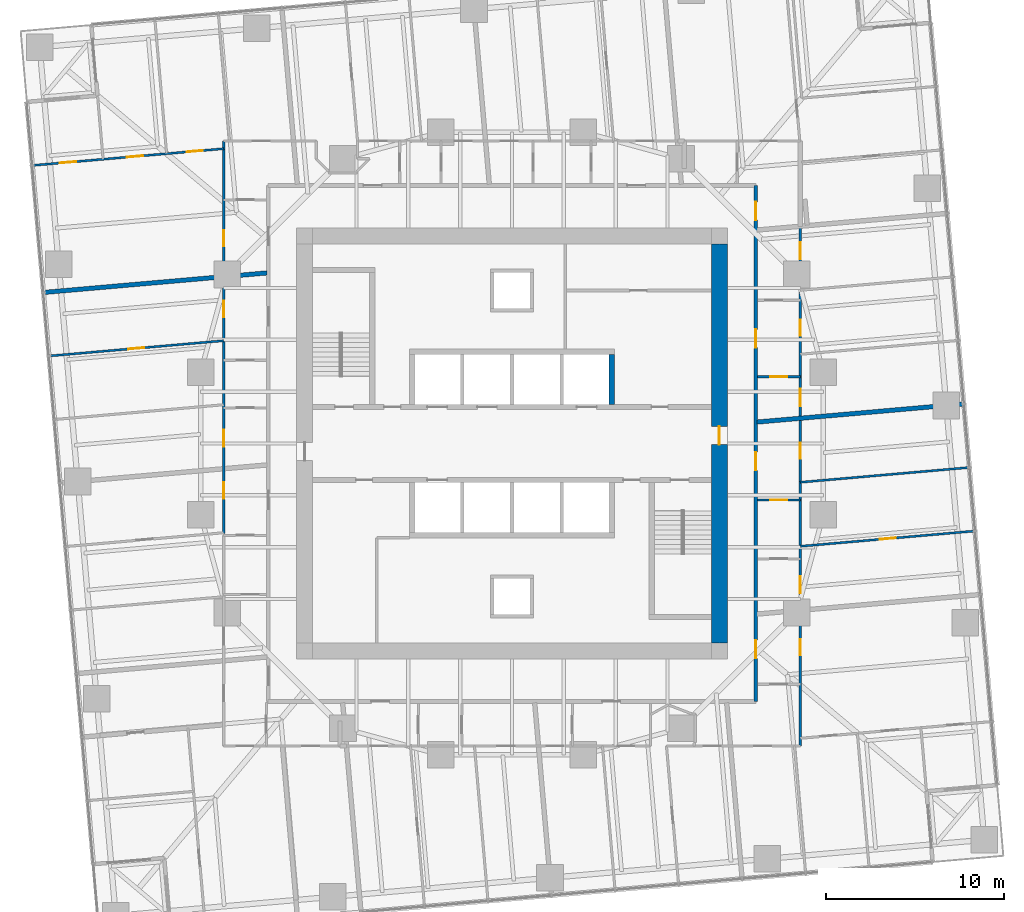
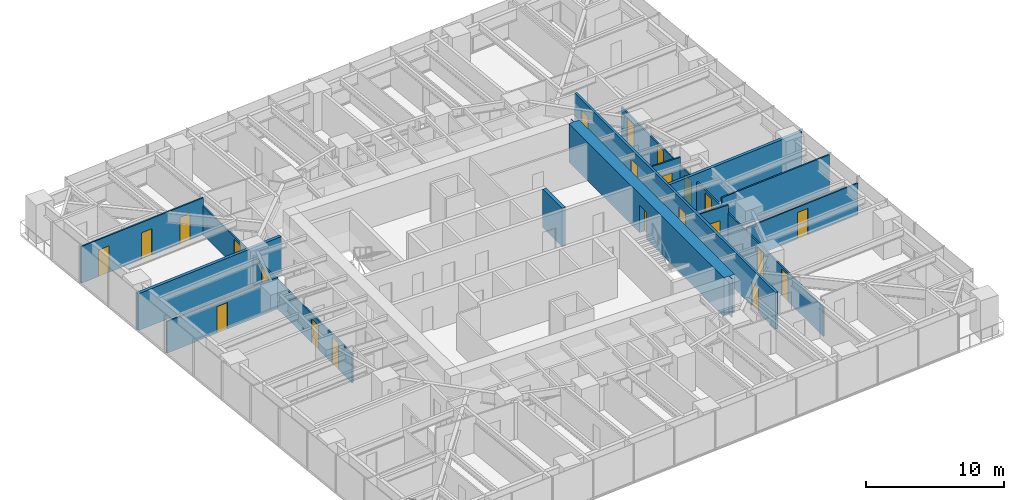
# One storey, part 11 of 14: 22 doors, 13 walls, 22 openings.
"""IFC4 building model written with IfcOpenShell, lengths in metres."""

from ifc_helpers import new_model, si_unit, direction, frame, frame_2d, origin, place, context, subcontext, project, spatial, polyline, rectangle, outline, extrude, material, layer, layer_set, type_object, element, fill, save


model = new_model("IFC4")

# Units and contexts
model_context = context("Model", 3, precision=1e-05, world=origin(), true_north=direction((0.0, 1.0)))
body_context = subcontext(model_context, "Body", "Model", "MODEL_VIEW")
ifc_project = project(units=[si_unit("LENGTHUNIT", "METRE"), si_unit("AREAUNIT", "SQUARE_METRE"), si_unit("VOLUMEUNIT", "CUBIC_METRE"), si_unit("PLANEANGLEUNIT", "RADIAN"), si_unit("MASSUNIT", "GRAM", prefix="KILO")], contexts=[model_context])

# Site, building, storey
site_placement = place(None, origin())
site = spatial("IfcSite", under=ifc_project, at=site_placement, CompositionType="ELEMENT")
building_placement = place(site_placement, origin())
building = spatial("IfcBuilding", under=site, at=building_placement, Name="Torsade Residences", CompositionType="ELEMENT")
storey_placement = place(building_placement, frame((0.0, 0.0, 64.199951171875)))
storey = spatial("IfcBuildingStorey", under=building, at=storey_placement, Name="L17", CompositionType="ELEMENT", Elevation=64.199951171875)

# Wall
ifc_material_1 = material(Name="Concrete 80 MPa", Category="concrete")
ifc_layer_1 = layer(ifc_material_1, 0.300048828125)
ifc_layer_set_1 = layer_set([ifc_layer_1], Name="Concrete 80 MPa")
wall_type_1 = type_object("IfcWallType", Name="CORE INTERNAL WALL 300", PredefinedType="SHEAR", material=ifc_layer_set_1)
wall_1_placement = place(storey_placement, frame((45.60009765625, 32.199951171875, 0.0), z_axis=(0.0, 0.0, 1.0), x_axis=(0.0, 1.0, 0.0)))
element("IfcWall", 1, at=wall_1_placement, inside=storey, type_object=wall_type_1, Name="Core wall DN4 L17", PredefinedType="SHEAR", context=body_context, shape_type="SweptSolid", body=[
    extrude(rectangle(XDim=2.800048828125, YDim=0.300048828125, at=frame_2d((1.39990234375, 0.0))), origin(), (0.0, 0.0, 1.0), 3.400146484375),
])

# Wall, opening, door
ifc_material_2 = material(Name="Concrete 80 MPa", Category="concrete")
ifc_layer_2 = layer(ifc_material_2, 0.89990234375)
ifc_layer_set_2 = layer_set([ifc_layer_2], Name="Concrete 80 MPa")
wall_type_2 = type_object("IfcWallType", Name="CORE WALL 900", PredefinedType="SHEAR", material=ifc_layer_set_2)
wall_2_placement = place(storey_placement, frame((51.64990234375, 18.800048828125, 0.0), z_axis=(0.0, 0.0, 1.0), x_axis=(0.0, 1.0, 0.0)))
wall_2 = element("IfcWall", 2, at=wall_2_placement, inside=storey, type_object=wall_type_2, Name="Core wall E L17", PredefinedType="SHEAR", context=body_context, shape_type="SweptSolid", body=[
    extrude(outline(polyline([(0.0, -0.449951171875), (22.39990234375, -0.449951171875), (22.39990234375, -0.02490234375), (22.849853515625, -0.02490234375), (22.849853515625, 0.02490234375), (22.39990234375, 0.02490234375), (22.39990234375, 0.449951171875), (0.0, 0.449951171875), (0.0, 0.02490234375), (-0.449951171875, 0.02490234375), (-0.449951171875, -0.02490234375), (0.0, -0.02490234375), (0.0, -0.449951171875)])), origin(), (0.0, 0.0, 1.0), 3.400146484375),
])
opening_1_placement = place(wall_2_placement, frame((11.139892578125, 0.0, 0.0)))
opening_1 = element("IfcOpeningElement", 3, at=opening_1_placement, cuts=wall_2, Name="Opening D04", PredefinedType="OPENING", context=body_context, shape_type="SweptSolid", body=[
    extrude(rectangle(XDim=1.02001953125, YDim=2.39990234375, at=frame_2d((0.510009765625, 1.199951171875))), frame((0.0, 0.4599609375, 0.0), z_axis=(0.0, -1.0, 0.0), x_axis=(1.0, 0.0, 0.0)), (0.0, 0.0, 1.0), 0.919921875),
])
ifc_material_3 = material(Name="Steel-framed fire door", Category="steel")
door_type_1 = type_object("IfcDoorType", Name="LOBBY SMOKE DOOR 1020x2400", OperationType="NOTDEFINED", PredefinedType="DOOR", material=ifc_material_3)
door_1_placement = place(opening_1_placement, origin())
door_1 = element("IfcDoor", 4, at=door_1_placement, inside=storey, type_object=door_type_1, Name="Lift lobby door E L17", OperationType="SINGLE_SWING_LEFT", OverallHeight=2.39990234375, OverallWidth=1.02001953125, PredefinedType="DOOR", context=body_context, shape_type="SweptSolid", body=[
    extrude(rectangle(XDim=1.02001953125, YDim=2.39990234375, at=frame_2d((0.510009765625, 1.199951171875))), frame((0.0, 0.02490234375, 0.0), z_axis=(0.0, -1.0, 0.0), x_axis=(1.0, 0.0, 0.0)), (0.0, 0.0, 1.0), 0.050048828125),
])
fill(opening_1, door_1)

# Wall, openings, doors
ifc_material_4 = material(Name="Plasterboard on steel stud", Category="steel")
ifc_layer_3 = layer(ifc_material_4, 0.199951171875)
ifc_layer_set_3 = layer_set([ifc_layer_3], Name="Plasterboard on steel stud")
wall_type_3 = type_object("IfcWallType", Name="CORRIDOR WALL 200", PredefinedType="PARTITIONING", material=ifc_layer_set_3)
wall_3_placement = place(storey_placement, frame((53.699951171875, 15.5, 0.0), z_axis=(0.0, 0.0, 1.0), x_axis=(0.0, 1.0, 0.0)))
wall_3 = element("IfcWall", 5, at=wall_3_placement, inside=storey, type_object=wall_type_3, Name="Corridor wall L17", PredefinedType="PARTITIONING", context=body_context, shape_type="SweptSolid", body=[
    extrude(rectangle(XDim=29.0, YDim=0.199951171875, at=frame_2d((14.5, 0.0))), origin(), (0.0, 0.0, 1.0), 3.25),
])
opening_2_placement = place(wall_3_placement, frame((12.996826171875, 0.0, 0.0)))
opening_2 = element("IfcOpeningElement", 6, at=opening_2_placement, cuts=wall_3, Name="Opening D01", PredefinedType="OPENING", context=body_context, shape_type="SweptSolid", body=[
    extrude(rectangle(XDim=1.02001953125, YDim=2.340087890625, at=frame_2d((0.510009765625, 1.169921875))), frame((0.0, 0.10986328125, 0.0), z_axis=(0.0, -1.0, 0.0), x_axis=(1.0, 0.0, 0.0)), (0.0, 0.0, 1.0), 0.219970703125),
])
opening_3_placement = place(wall_3_placement, frame((19.89111328125, 0.0, 0.0)))
opening_3 = element("IfcOpeningElement", 7, at=opening_3_placement, cuts=wall_3, Name="Opening D01", PredefinedType="OPENING", context=body_context, shape_type="SweptSolid", body=[
    extrude(rectangle(XDim=1.02001953125, YDim=2.340087890625, at=frame_2d((0.510009765625, 1.169921875))), frame((0.0, 0.10986328125, 0.0), z_axis=(0.0, -1.0, 0.0), x_axis=(1.0, 0.0, 0.0)), (0.0, 0.0, 1.0), 0.219970703125),
])
opening_4_placement = place(wall_3_placement, frame((2.4248046875, 0.0, 0.0)))
opening_4 = element("IfcOpeningElement", 8, at=opening_4_placement, cuts=wall_3, Name="Opening D01L", PredefinedType="OPENING", context=body_context, shape_type="SweptSolid", body=[
    extrude(rectangle(XDim=1.02001953125, YDim=2.10009765625, at=frame_2d((0.510009765625, 1.050048828125))), frame((0.0, 0.10986328125, 0.0), z_axis=(0.0, -1.0, 0.0), x_axis=(1.0, 0.0, 0.0)), (0.0, 0.0, 1.0), 0.219970703125),
])
opening_5_placement = place(wall_3_placement, frame((27.054931640625, 0.0, 0.0)))
opening_5 = element("IfcOpeningElement", 9, at=opening_5_placement, cuts=wall_3, Name="Opening D01", PredefinedType="OPENING", context=body_context, shape_type="SweptSolid", body=[
    extrude(rectangle(XDim=1.02001953125, YDim=2.340087890625, at=frame_2d((0.510009765625, 1.169921875))), frame((0.0, 0.10986328125, 0.0), z_axis=(0.0, -1.0, 0.0), x_axis=(1.0, 0.0, 0.0)), (0.0, 0.0, 1.0), 0.219970703125),
])
ifc_material_5 = material(Name="Solid-core timber fire door", Category="wood")
door_type_2 = type_object("IfcDoorType", Name="APARTMENT ENTRY DOOR 1020x2100", OperationType="NOTDEFINED", PredefinedType="DOOR", material=ifc_material_5)
door_2_placement = place(opening_4_placement, origin())
door_2 = element("IfcDoor", 10, at=door_2_placement, inside=storey, type_object=door_type_2, Name="Door Residential corridor to Kitchen and dining", OperationType="SINGLE_SWING_LEFT", OverallHeight=2.10009765625, OverallWidth=1.02001953125, PredefinedType="DOOR", context=body_context, shape_type="SweptSolid", body=[
    extrude(rectangle(XDim=1.02001953125, YDim=2.10009765625, at=frame_2d((0.510009765625, 1.050048828125))), frame((0.0, 0.02490234375, 0.0), z_axis=(0.0, -1.0, 0.0), x_axis=(1.0, 0.0, 0.0)), (0.0, 0.0, 1.0), 0.050048828125),
])
fill(opening_4, door_2)
ifc_material_6 = material(Name="Solid-core timber fire door", Category="wood")
door_type_3 = type_object("IfcDoorType", Name="APARTMENT ENTRY DOOR 1020x2340", OperationType="NOTDEFINED", PredefinedType="DOOR", material=ifc_material_6)
door_3_placement = place(opening_2_placement, origin())
door_3 = element("IfcDoor", 11, at=door_3_placement, inside=storey, type_object=door_type_3, Name="Door Residential corridor to Kitchen and dining", OperationType="SINGLE_SWING_LEFT", OverallHeight=2.340087890625, OverallWidth=1.02001953125, PredefinedType="DOOR", context=body_context, shape_type="SweptSolid", body=[
    extrude(rectangle(XDim=1.02001953125, YDim=2.340087890625, at=frame_2d((0.510009765625, 1.169921875))), frame((0.0, 0.02490234375, 0.0), z_axis=(0.0, -1.0, 0.0), x_axis=(1.0, 0.0, 0.0)), (0.0, 0.0, 1.0), 0.050048828125),
])
fill(opening_2, door_3)
door_4_placement = place(opening_3_placement, origin())
door_4 = element("IfcDoor", 12, at=door_4_placement, inside=storey, type_object=door_type_3, Name="Door Residential corridor to Kitchen and dining", OperationType="SINGLE_SWING_RIGHT", OverallHeight=2.340087890625, OverallWidth=1.02001953125, PredefinedType="DOOR", context=body_context, shape_type="SweptSolid", body=[
    extrude(rectangle(XDim=1.02001953125, YDim=2.340087890625, at=frame_2d((0.510009765625, 1.169921875))), frame((0.0, 0.02490234375, 0.0), z_axis=(0.0, -1.0, 0.0), x_axis=(1.0, 0.0, 0.0)), (0.0, 0.0, 1.0), 0.050048828125),
])
fill(opening_3, door_4)
door_5_placement = place(opening_5_placement, origin())
door_5 = element("IfcDoor", 13, at=door_5_placement, inside=storey, type_object=door_type_3, Name="Door Residential corridor to Kitchen and dining", OperationType="SINGLE_SWING_RIGHT", OverallHeight=2.340087890625, OverallWidth=1.02001953125, PredefinedType="DOOR", context=body_context, shape_type="SweptSolid", body=[
    extrude(rectangle(XDim=1.02001953125, YDim=2.340087890625, at=frame_2d((0.510009765625, 1.169921875))), frame((0.0, 0.02490234375, 0.0), z_axis=(0.0, -1.0, 0.0), x_axis=(1.0, 0.0, 0.0)), (0.0, 0.0, 1.0), 0.050048828125),
])
fill(opening_5, door_5)

ifc_material_7 = material(Name="Plasterboard on steel stud", Category="steel")
ifc_layer_4 = layer(ifc_material_7, 0.1201171875)
ifc_layer_set_4 = layer_set([ifc_layer_4], Name="Plasterboard on steel stud")
wall_type_4 = type_object("IfcWallType", Name="PARTITION 120", PredefinedType="PARTITIONING", material=ifc_layer_set_4)
wall_4_placement = place(storey_placement, frame((23.800048828125, 24.935546875, 0.0), z_axis=(0.0, 0.0, 1.0), x_axis=(0.0, 1.0, 0.0)))
wall_4 = element("IfcWall", 14, at=wall_4_placement, inside=storey, type_object=wall_type_4, Name="Partition L17", PredefinedType="PARTITIONING", context=body_context, shape_type="SweptSolid", body=[
    extrude(rectangle(XDim=22.064453125, YDim=0.1201171875, at=frame_2d((11.0322265625, 0.0))), origin(), (0.0, 0.0, 1.0), 2.550048828125),
])
opening_6_placement = place(wall_4_placement, frame((12.154541015625, 0.0, 0.0)))
opening_6 = element("IfcOpeningElement", 15, at=opening_6_placement, cuts=wall_4, Name="Opening D02", PredefinedType="OPENING", context=body_context, shape_type="SweptSolid", body=[
    extrude(rectangle(XDim=0.919921875, YDim=2.340087890625, at=frame_2d((0.4599609375, 1.169921875))), frame((0.0, 0.070068359375, 0.0), z_axis=(0.0, -1.0, 0.0), x_axis=(1.0, 0.0, 0.0)), (0.0, 0.0, 1.0), 0.14013671875),
])
opening_7_placement = place(wall_4_placement, frame((16.13623046875, 0.0, 0.0)))
opening_7 = element("IfcOpeningElement", 16, at=opening_7_placement, cuts=wall_4, Name="Opening D02", PredefinedType="OPENING", context=body_context, shape_type="SweptSolid", body=[
    extrude(rectangle(XDim=0.919921875, YDim=2.340087890625, at=frame_2d((0.4599609375, 1.169921875))), frame((0.0, 0.070068359375, 0.0), z_axis=(0.0, -1.0, 0.0), x_axis=(1.0, 0.0, 0.0)), (0.0, 0.0, 1.0), 0.14013671875),
])
opening_8_placement = place(wall_4_placement, frame((1.963623046875, 0.0, 0.0)))
opening_8 = element("IfcOpeningElement", 17, at=opening_8_placement, cuts=wall_4, Name="Opening D02", PredefinedType="OPENING", context=body_context, shape_type="SweptSolid", body=[
    extrude(rectangle(XDim=0.919921875, YDim=2.340087890625, at=frame_2d((0.4599609375, 1.169921875))), frame((0.0, 0.070068359375, 0.0), z_axis=(0.0, -1.0, 0.0), x_axis=(1.0, 0.0, 0.0)), (0.0, 0.0, 1.0), 0.14013671875),
])
opening_9_placement = place(wall_4_placement, frame((4.87744140625, 0.0, 0.0)))
opening_9 = element("IfcOpeningElement", 18, at=opening_9_placement, cuts=wall_4, Name="Opening D05", PredefinedType="OPENING", context=body_context, shape_type="SweptSolid", body=[
    extrude(rectangle(XDim=0.9599609375, YDim=2.10009765625, at=frame_2d((0.47998046875, 1.050048828125))), frame((0.0, 0.070068359375, 0.0), z_axis=(0.0, -1.0, 0.0), x_axis=(1.0, 0.0, 0.0)), (0.0, 0.0, 1.0), 0.14013671875),
])
ifc_material_8 = material(Name="Hollow-core timber door in a steel cavity frame", Category="steel")
door_type_4 = type_object("IfcDoorType", Name="BATHROOM CAVITY SLIDING DOOR 960", OperationType="SLIDING_TO_LEFT", PredefinedType="DOOR", material=ifc_material_8)
door_6_placement = place(opening_9_placement, origin())
door_6 = element("IfcDoor", 19, at=door_6_placement, inside=storey, type_object=door_type_4, Name="Door Bathroom to Bedroom 2", OperationType="SLIDING_TO_LEFT", OverallHeight=2.10009765625, OverallWidth=0.9599609375, PredefinedType="DOOR", context=body_context, shape_type="SweptSolid", body=[
    extrude(rectangle(XDim=0.9599609375, YDim=2.10009765625, at=frame_2d((0.47998046875, 1.050048828125))), frame((0.0, 0.02490234375, 0.0), z_axis=(0.0, -1.0, 0.0), x_axis=(1.0, 0.0, 0.0)), (0.0, 0.0, 1.0), 0.050048828125),
])
fill(opening_9, door_6)
ifc_material_9 = material(Name="Hollow-core timber door", Category="wood")
door_type_5 = type_object("IfcDoorType", Name="INTERNAL DOOR 920x2340", OperationType="NOTDEFINED", PredefinedType="DOOR", material=ifc_material_9)
door_7_placement = place(opening_6_placement, origin())
door_7 = element("IfcDoor", 20, at=door_7_placement, inside=storey, type_object=door_type_5, Name="Door Kitchen and dining to Living room", OperationType="SINGLE_SWING_RIGHT", OverallHeight=2.340087890625, OverallWidth=0.919921875, PredefinedType="DOOR", context=body_context, shape_type="SweptSolid", body=[
    extrude(rectangle(XDim=0.919921875, YDim=2.340087890625, at=frame_2d((0.4599609375, 1.169921875))), frame((0.0, 0.02490234375, 0.0), z_axis=(0.0, -1.0, 0.0), x_axis=(1.0, 0.0, 0.0)), (0.0, 0.0, 1.0), 0.050048828125),
])
fill(opening_6, door_7)
door_8_placement = place(opening_7_placement, origin())
door_8 = element("IfcDoor", 21, at=door_8_placement, inside=storey, type_object=door_type_5, Name="Door Kitchen and dining to Living room", OperationType="SINGLE_SWING_LEFT", OverallHeight=2.340087890625, OverallWidth=0.919921875, PredefinedType="DOOR", context=body_context, shape_type="SweptSolid", body=[
    extrude(rectangle(XDim=0.919921875, YDim=2.340087890625, at=frame_2d((0.4599609375, 1.169921875))), frame((0.0, 0.02490234375, 0.0), z_axis=(0.0, -1.0, 0.0), x_axis=(1.0, 0.0, 0.0)), (0.0, 0.0, 1.0), 0.050048828125),
])
fill(opening_7, door_8)
door_9_placement = place(opening_8_placement, origin())
door_9 = element("IfcDoor", 22, at=door_9_placement, inside=storey, type_object=door_type_5, Name="Door Kitchen and dining to Living room", OperationType="SINGLE_SWING_RIGHT", OverallHeight=2.340087890625, OverallWidth=0.919921875, PredefinedType="DOOR", context=body_context, shape_type="SweptSolid", body=[
    extrude(rectangle(XDim=0.919921875, YDim=2.340087890625, at=frame_2d((0.4599609375, 1.169921875))), frame((0.0, 0.02490234375, 0.0), z_axis=(0.0, -1.0, 0.0), x_axis=(1.0, 0.0, 0.0)), (0.0, 0.0, 1.0), 0.050048828125),
])
fill(opening_8, door_9)

wall_5_placement = place(storey_placement, frame((56.199951171875, 42.20849609375, 0.0), z_axis=(0.0, 0.0, 1.0), x_axis=(0.0, -1.0, 0.0)))
wall_5 = element("IfcWall", 23, at=wall_5_placement, inside=storey, type_object=wall_type_4, Name="Partition L17", PredefinedType="PARTITIONING", context=body_context, shape_type="SweptSolid", body=[
    extrude(rectangle(XDim=29.20849609375, YDim=0.1201171875, at=frame_2d((14.604248046875, 0.0))), origin(), (0.0, 0.0, 1.0), 2.550048828125),
])
opening_10_placement = place(wall_5_placement, frame((12.154541015625, 0.0, 0.0)))
opening_10 = element("IfcOpeningElement", 24, at=opening_10_placement, cuts=wall_5, Name="Opening D02", PredefinedType="OPENING", context=body_context, shape_type="SweptSolid", body=[
    extrude(rectangle(XDim=0.919921875, YDim=2.340087890625, at=frame_2d((0.4599609375, 1.169921875))), frame((0.0, 0.070068359375, 0.0), z_axis=(0.0, -1.0, 0.0), x_axis=(1.0, 0.0, 0.0)), (0.0, 0.0, 1.0), 0.14013671875),
])
opening_11_placement = place(wall_5_placement, frame((5.2412109375, 0.0, 0.0)))
opening_11 = element("IfcOpeningElement", 25, at=opening_11_placement, cuts=wall_5, Name="Opening D02", PredefinedType="OPENING", context=body_context, shape_type="SweptSolid", body=[
    extrude(rectangle(XDim=0.919921875, YDim=2.340087890625, at=frame_2d((0.4599609375, 1.169921875))), frame((0.0, 0.070068359375, 0.0), z_axis=(0.0, -1.0, 0.0), x_axis=(1.0, 0.0, 0.0)), (0.0, 0.0, 1.0), 0.14013671875),
])
opening_12_placement = place(wall_5_placement, frame((23.2001953125, 0.0, 0.0)))
opening_12 = element("IfcOpeningElement", 26, at=opening_12_placement, cuts=wall_5, Name="Opening D02", PredefinedType="OPENING", context=body_context, shape_type="SweptSolid", body=[
    extrude(rectangle(XDim=0.919921875, YDim=2.340087890625, at=frame_2d((0.4599609375, 1.169921875))), frame((0.0, 0.070068359375, 0.0), z_axis=(0.0, -1.0, 0.0), x_axis=(1.0, 0.0, 0.0)), (0.0, 0.0, 1.0), 0.14013671875),
])
opening_13_placement = place(wall_5_placement, frame((0.8935546875, 0.0, 0.0)))
opening_13 = element("IfcOpeningElement", 27, at=opening_13_placement, cuts=wall_5, Name="Opening D05", PredefinedType="OPENING", context=body_context, shape_type="SweptSolid", body=[
    extrude(rectangle(XDim=0.9599609375, YDim=2.10009765625, at=frame_2d((0.47998046875, 1.050048828125))), frame((0.0, 0.070068359375, 0.0), z_axis=(0.0, -1.0, 0.0), x_axis=(1.0, 0.0, 0.0)), (0.0, 0.0, 1.0), 0.14013671875),
])
opening_14_placement = place(wall_5_placement, frame((9.1435546875, 0.0, 0.0)))
opening_14 = element("IfcOpeningElement", 28, at=opening_14_placement, cuts=wall_5, Name="Opening D05", PredefinedType="OPENING", context=body_context, shape_type="SweptSolid", body=[
    extrude(rectangle(XDim=0.9599609375, YDim=2.10009765625, at=frame_2d((0.47998046875, 1.050048828125))), frame((0.0, 0.070068359375, 0.0), z_axis=(0.0, -1.0, 0.0), x_axis=(1.0, 0.0, 0.0)), (0.0, 0.0, 1.0), 0.14013671875),
])
opening_15_placement = place(wall_5_placement, frame((19.655517578125, 0.0, 0.0)))
opening_15 = element("IfcOpeningElement", 29, at=opening_15_placement, cuts=wall_5, Name="Opening D05", PredefinedType="OPENING", context=body_context, shape_type="SweptSolid", body=[
    extrude(rectangle(XDim=0.9599609375, YDim=2.10009765625, at=frame_2d((0.47998046875, 1.050048828125))), frame((0.0, 0.070068359375, 0.0), z_axis=(0.0, -1.0, 0.0), x_axis=(1.0, 0.0, 0.0)), (0.0, 0.0, 1.0), 0.14013671875),
])
door_10_placement = place(opening_13_placement, origin())
door_10 = element("IfcDoor", 30, at=door_10_placement, inside=storey, type_object=door_type_4, Name="Door Bathroom to Bedroom 2", OperationType="SLIDING_TO_LEFT", OverallHeight=2.10009765625, OverallWidth=0.9599609375, PredefinedType="DOOR", context=body_context, shape_type="SweptSolid", body=[
    extrude(rectangle(XDim=0.9599609375, YDim=2.10009765625, at=frame_2d((0.47998046875, 1.050048828125))), frame((0.0, 0.02490234375, 0.0), z_axis=(0.0, -1.0, 0.0), x_axis=(1.0, 0.0, 0.0)), (0.0, 0.0, 1.0), 0.050048828125),
])
fill(opening_13, door_10)
door_11_placement = place(opening_14_placement, origin())
door_11 = element("IfcDoor", 31, at=door_11_placement, inside=storey, type_object=door_type_4, Name="Door Ensuite to Living room", OperationType="SLIDING_TO_LEFT", OverallHeight=2.10009765625, OverallWidth=0.9599609375, PredefinedType="DOOR", context=body_context, shape_type="SweptSolid", body=[
    extrude(rectangle(XDim=0.9599609375, YDim=2.10009765625, at=frame_2d((0.47998046875, 1.050048828125))), frame((0.0, 0.02490234375, 0.0), z_axis=(0.0, -1.0, 0.0), x_axis=(1.0, 0.0, 0.0)), (0.0, 0.0, 1.0), 0.050048828125),
])
fill(opening_14, door_11)
door_12_placement = place(opening_15_placement, origin())
door_12 = element("IfcDoor", 32, at=door_12_placement, inside=storey, type_object=door_type_4, Name="Door Ensuite to Living room", OperationType="SLIDING_TO_LEFT", OverallHeight=2.10009765625, OverallWidth=0.9599609375, PredefinedType="DOOR", context=body_context, shape_type="SweptSolid", body=[
    extrude(rectangle(XDim=0.9599609375, YDim=2.10009765625, at=frame_2d((0.47998046875, 1.050048828125))), frame((0.0, 0.02490234375, 0.0), z_axis=(0.0, -1.0, 0.0), x_axis=(1.0, 0.0, 0.0)), (0.0, 0.0, 1.0), 0.050048828125),
])
fill(opening_15, door_12)
door_13_placement = place(opening_10_placement, origin())
door_13 = element("IfcDoor", 33, at=door_13_placement, inside=storey, type_object=door_type_5, Name="Door Kitchen and dining to Bedroom 2", OperationType="SINGLE_SWING_RIGHT", OverallHeight=2.340087890625, OverallWidth=0.919921875, PredefinedType="DOOR", context=body_context, shape_type="SweptSolid", body=[
    extrude(rectangle(XDim=0.919921875, YDim=2.340087890625, at=frame_2d((0.4599609375, 1.169921875))), frame((0.0, 0.02490234375, 0.0), z_axis=(0.0, -1.0, 0.0), x_axis=(1.0, 0.0, 0.0)), (0.0, 0.0, 1.0), 0.050048828125),
])
fill(opening_10, door_13)
door_14_placement = place(opening_11_placement, origin())
door_14 = element("IfcDoor", 34, at=door_14_placement, inside=storey, type_object=door_type_5, Name="Door Kitchen and dining to Bedroom 1", OperationType="SINGLE_SWING_RIGHT", OverallHeight=2.340087890625, OverallWidth=0.919921875, PredefinedType="DOOR", context=body_context, shape_type="SweptSolid", body=[
    extrude(rectangle(XDim=0.919921875, YDim=2.340087890625, at=frame_2d((0.4599609375, 1.169921875))), frame((0.0, 0.02490234375, 0.0), z_axis=(0.0, -1.0, 0.0), x_axis=(1.0, 0.0, 0.0)), (0.0, 0.0, 1.0), 0.050048828125),
])
fill(opening_11, door_14)
door_15_placement = place(opening_12_placement, origin())
door_15 = element("IfcDoor", 35, at=door_15_placement, inside=storey, type_object=door_type_5, Name="Door Kitchen and dining to Living room", OperationType="SINGLE_SWING_LEFT", OverallHeight=2.340087890625, OverallWidth=0.919921875, PredefinedType="DOOR", context=body_context, shape_type="SweptSolid", body=[
    extrude(rectangle(XDim=0.919921875, YDim=2.340087890625, at=frame_2d((0.4599609375, 1.169921875))), frame((0.0, 0.02490234375, 0.0), z_axis=(0.0, -1.0, 0.0), x_axis=(1.0, 0.0, 0.0)), (0.0, 0.0, 1.0), 0.050048828125),
])
fill(opening_12, door_15)

# Wall, opening, door
wall_6_placement = place(storey_placement, frame((56.199951171875, 26.822998046875, 0.0), z_axis=(0.0, 0.0, 1.0), x_axis=(-1.0, 0.0, 0.0)))
wall_6 = element("IfcWall", 36, at=wall_6_placement, inside=storey, type_object=wall_type_4, Name="Partition L17", PredefinedType="PARTITIONING", context=body_context, shape_type="SweptSolid", body=[
    extrude(rectangle(XDim=2.39990234375, YDim=0.1201171875, at=frame_2d((1.199951171875, 0.0))), origin(), (0.0, 0.0, 1.0), 3.25),
])
opening_16_placement = place(wall_6_placement, frame((0.719970703125, 0.0, 0.0)))
opening_16 = element("IfcOpeningElement", 37, at=opening_16_placement, cuts=wall_6, Name="Opening D05", PredefinedType="OPENING", context=body_context, shape_type="SweptSolid", body=[
    extrude(rectangle(XDim=0.9599609375, YDim=2.10009765625, at=frame_2d((0.47998046875, 1.050048828125))), frame((0.0, 0.070068359375, 0.0), z_axis=(0.0, -1.0, 0.0), x_axis=(1.0, 0.0, 0.0)), (0.0, 0.0, 1.0), 0.14013671875),
])
door_16_placement = place(opening_16_placement, origin())
door_16 = element("IfcDoor", 38, at=door_16_placement, inside=storey, type_object=door_type_4, Name="Door Kitchen and dining to Bathroom", OperationType="SLIDING_TO_LEFT", OverallHeight=2.10009765625, OverallWidth=0.9599609375, PredefinedType="DOOR", context=body_context, shape_type="SweptSolid", body=[
    extrude(rectangle(XDim=0.9599609375, YDim=2.10009765625, at=frame_2d((0.47998046875, 1.050048828125))), frame((0.0, 0.02490234375, 0.0), z_axis=(0.0, -1.0, 0.0), x_axis=(1.0, 0.0, 0.0)), (0.0, 0.0, 1.0), 0.050048828125),
])
fill(opening_16, door_16)

wall_7_placement = place(storey_placement, frame((56.199951171875, 24.223388671875, 0.0), z_axis=(0.0, 0.0, 1.0), x_axis=(0.996195794011, 0.087143215425, 0.0)))
wall_7 = element("IfcWall", 39, at=wall_7_placement, inside=storey, type_object=wall_type_4, Name="Partition L17", PredefinedType="PARTITIONING", context=body_context, shape_type="SweptSolid", body=[
    extrude(rectangle(XDim=9.8251953125, YDim=0.1201171875, at=frame_2d((4.91259765625, 0.0))), origin(), (0.0, 0.0, 1.0), 2.796142578125),
])
opening_17_placement = place(wall_7_placement, frame((4.47265625, 0.0, 0.0)))
opening_17 = element("IfcOpeningElement", 40, at=opening_17_placement, cuts=wall_7, Name="Opening D02", PredefinedType="OPENING", context=body_context, shape_type="SweptSolid", body=[
    extrude(rectangle(XDim=0.919921875, YDim=2.340087890625, at=frame_2d((0.4599609375, 1.169921875))), frame((0.0, 0.070068359375, 0.0), z_axis=(0.0, -1.0, 0.0), x_axis=(1.0, 0.0, 0.0)), (0.0, 0.0, 1.0), 0.14013671875),
])
door_17_placement = place(opening_17_placement, origin())
door_17 = element("IfcDoor", 41, at=door_17_placement, inside=storey, type_object=door_type_5, Name="Door Living room to Bedroom 1", OperationType="SINGLE_SWING_LEFT", OverallHeight=2.340087890625, OverallWidth=0.919921875, PredefinedType="DOOR", context=body_context, shape_type="SweptSolid", body=[
    extrude(rectangle(XDim=0.919921875, YDim=2.340087890625, at=frame_2d((0.4599609375, 1.169921875))), frame((0.0, 0.02490234375, 0.0), z_axis=(0.0, -1.0, 0.0), x_axis=(1.0, 0.0, 0.0)), (0.0, 0.0, 1.0), 0.050048828125),
])
fill(opening_17, door_17)

# Wall
wall_8_placement = place(storey_placement, frame((56.199951171875, 27.8203125, 0.0), z_axis=(0.0, 0.0, 1.0), x_axis=(0.996193828936, 0.087165676674, 0.0)))
element("IfcWall", 42, at=wall_8_placement, inside=storey, type_object=wall_type_4, Name="Partition L17", PredefinedType="PARTITIONING", context=body_context, shape_type="SweptSolid", body=[
    extrude(rectangle(XDim=9.51171875, YDim=0.1201171875, at=frame_2d((4.755859375, 0.0))), origin(), (0.0, 0.0, 1.0), 3.25),
])

# Wall, opening, door
wall_9_placement = place(storey_placement, frame((56.199951171875, 33.752197265625, 0.0), z_axis=(0.0, 0.0, 1.0), x_axis=(-1.0, 0.0, 0.0)))
wall_9 = element("IfcWall", 43, at=wall_9_placement, inside=storey, type_object=wall_type_4, Name="Partition L17", PredefinedType="PARTITIONING", context=body_context, shape_type="SweptSolid", body=[
    extrude(rectangle(XDim=2.39990234375, YDim=0.1201171875, at=frame_2d((1.199951171875, 0.0))), origin(), (0.0, 0.0, 1.0), 3.25),
])
opening_18_placement = place(wall_9_placement, frame((0.719970703125, 0.0, 0.0)))
opening_18 = element("IfcOpeningElement", 44, at=opening_18_placement, cuts=wall_9, Name="Opening D05", PredefinedType="OPENING", context=body_context, shape_type="SweptSolid", body=[
    extrude(rectangle(XDim=0.9599609375, YDim=2.10009765625, at=frame_2d((0.47998046875, 1.050048828125))), frame((0.0, 0.070068359375, 0.0), z_axis=(0.0, -1.0, 0.0), x_axis=(1.0, 0.0, 0.0)), (0.0, 0.0, 1.0), 0.14013671875),
])
door_18_placement = place(opening_18_placement, origin())
door_18 = element("IfcDoor", 45, at=door_18_placement, inside=storey, type_object=door_type_4, Name="Door Kitchen and dining to Ensuite", OperationType="SLIDING_TO_LEFT", OverallHeight=2.10009765625, OverallWidth=0.9599609375, PredefinedType="DOOR", context=body_context, shape_type="SweptSolid", body=[
    extrude(rectangle(XDim=0.9599609375, YDim=2.10009765625, at=frame_2d((0.47998046875, 1.050048828125))), frame((0.0, 0.02490234375, 0.0), z_axis=(0.0, -1.0, 0.0), x_axis=(1.0, 0.0, 0.0)), (0.0, 0.0, 1.0), 0.050048828125),
])
fill(opening_18, door_18)

# Wall, openings, doors
wall_10_placement = place(storey_placement, frame((13.075439453125, 45.62939453125, 0.0), z_axis=(0.0, 0.0, 1.0), x_axis=(0.996193126702, 0.087173701945, 0.0)))
wall_10 = element("IfcWall", 46, at=wall_10_placement, inside=storey, type_object=wall_type_4, Name="Partition L17", PredefinedType="PARTITIONING", context=body_context, shape_type="SweptSolid", body=[
    extrude(rectangle(XDim=10.765625, YDim=0.1201171875, at=frame_2d((5.3828125, 0.0))), origin(), (0.0, 0.0, 1.0), 3.25),
])
opening_19_placement = place(wall_10_placement, frame((1.525146484375, 0.0, 0.0)))
opening_19 = element("IfcOpeningElement", 47, at=opening_19_placement, cuts=wall_10, Name="Opening D02", PredefinedType="OPENING", context=body_context, shape_type="SweptSolid", body=[
    extrude(rectangle(XDim=0.919921875, YDim=2.340087890625, at=frame_2d((0.4599609375, 1.169921875))), frame((0.0, 0.070068359375, 0.0), z_axis=(0.0, -1.0, 0.0), x_axis=(1.0, 0.0, 0.0)), (0.0, 0.0, 1.0), 0.14013671875),
])
opening_20_placement = place(wall_10_placement, frame((5.291748046875, 0.0, 0.0)))
opening_20 = element("IfcOpeningElement", 48, at=opening_20_placement, cuts=wall_10, Name="Opening D02", PredefinedType="OPENING", context=body_context, shape_type="SweptSolid", body=[
    extrude(rectangle(XDim=0.919921875, YDim=2.340087890625, at=frame_2d((0.4599609375, 1.169921875))), frame((0.0, 0.070068359375, 0.0), z_axis=(0.0, -1.0, 0.0), x_axis=(1.0, 0.0, 0.0)), (0.0, 0.0, 1.0), 0.14013671875),
])
opening_21_placement = place(wall_10_placement, frame((8.66943359375, 0.0, 0.0)))
opening_21 = element("IfcOpeningElement", 49, at=opening_21_placement, cuts=wall_10, Name="Opening D02", PredefinedType="OPENING", context=body_context, shape_type="SweptSolid", body=[
    extrude(rectangle(XDim=0.919921875, YDim=2.340087890625, at=frame_2d((0.4599609375, 1.169921875))), frame((0.0, 0.070068359375, 0.0), z_axis=(0.0, -1.0, 0.0), x_axis=(1.0, 0.0, 0.0)), (0.0, 0.0, 1.0), 0.14013671875),
])
door_19_placement = place(opening_19_placement, origin())
door_19 = element("IfcDoor", 50, at=door_19_placement, inside=storey, type_object=door_type_5, Name="Door Living room to Family room", OperationType="SINGLE_SWING_RIGHT", OverallHeight=2.340087890625, OverallWidth=0.919921875, PredefinedType="DOOR", context=body_context, shape_type="SweptSolid", body=[
    extrude(rectangle(XDim=0.919921875, YDim=2.340087890625, at=frame_2d((0.4599609375, 1.169921875))), frame((0.0, 0.02490234375, 0.0), z_axis=(0.0, -1.0, 0.0), x_axis=(1.0, 0.0, 0.0)), (0.0, 0.0, 1.0), 0.050048828125),
])
fill(opening_19, door_19)
door_20_placement = place(opening_20_placement, origin())
door_20 = element("IfcDoor", 51, at=door_20_placement, inside=storey, type_object=door_type_5, Name="Door Living room to Bedroom 1", OperationType="SINGLE_SWING_RIGHT", OverallHeight=2.340087890625, OverallWidth=0.919921875, PredefinedType="DOOR", context=body_context, shape_type="SweptSolid", body=[
    extrude(rectangle(XDim=0.919921875, YDim=2.340087890625, at=frame_2d((0.4599609375, 1.169921875))), frame((0.0, 0.02490234375, 0.0), z_axis=(0.0, -1.0, 0.0), x_axis=(1.0, 0.0, 0.0)), (0.0, 0.0, 1.0), 0.050048828125),
])
fill(opening_20, door_20)
door_21_placement = place(opening_21_placement, origin())
door_21 = element("IfcDoor", 52, at=door_21_placement, inside=storey, type_object=door_type_5, Name="Door Living room to Bedroom 2", OperationType="SINGLE_SWING_LEFT", OverallHeight=2.340087890625, OverallWidth=0.919921875, PredefinedType="DOOR", context=body_context, shape_type="SweptSolid", body=[
    extrude(rectangle(XDim=0.919921875, YDim=2.340087890625, at=frame_2d((0.4599609375, 1.169921875))), frame((0.0, 0.02490234375, 0.0), z_axis=(0.0, -1.0, 0.0), x_axis=(1.0, 0.0, 0.0)), (0.0, 0.0, 1.0), 0.050048828125),
])
fill(opening_21, door_21)

# Wall, opening, door
wall_11_placement = place(storey_placement, frame((23.800048828125, 35.776611328125, 0.0), z_axis=(0.0, 0.0, 1.0), x_axis=(-0.996195794011, -0.087143215425, 0.0)))
wall_11 = element("IfcWall", 53, at=wall_11_placement, inside=storey, type_object=wall_type_4, Name="Partition L17", PredefinedType="PARTITIONING", context=body_context, shape_type="SweptSolid", body=[
    extrude(rectangle(XDim=9.8251953125, YDim=0.1201171875, at=frame_2d((4.91259765625, 0.0))), origin(), (0.0, 0.0, 1.0), 2.796142578125),
])
opening_22_placement = place(wall_11_placement, frame((4.47265625, 0.0, 0.0)))
opening_22 = element("IfcOpeningElement", 54, at=opening_22_placement, cuts=wall_11, Name="Opening D02", PredefinedType="OPENING", context=body_context, shape_type="SweptSolid", body=[
    extrude(rectangle(XDim=0.919921875, YDim=2.340087890625, at=frame_2d((0.4599609375, 1.169921875))), frame((0.0, 0.070068359375, 0.0), z_axis=(0.0, -1.0, 0.0), x_axis=(1.0, 0.0, 0.0)), (0.0, 0.0, 1.0), 0.14013671875),
])
door_22_placement = place(opening_22_placement, origin())
door_22 = element("IfcDoor", 55, at=door_22_placement, inside=storey, type_object=door_type_5, Name="Door Living room to Bedroom 1", OperationType="SINGLE_SWING_LEFT", OverallHeight=2.340087890625, OverallWidth=0.919921875, PredefinedType="DOOR", context=body_context, shape_type="SweptSolid", body=[
    extrude(rectangle(XDim=0.919921875, YDim=2.340087890625, at=frame_2d((0.4599609375, 1.169921875))), frame((0.0, 0.02490234375, 0.0), z_axis=(0.0, -1.0, 0.0), x_axis=(1.0, 0.0, 0.0)), (0.0, 0.0, 1.0), 0.050048828125),
])
fill(opening_22, door_22)

# Walls
ifc_material_10 = material(Name="Masonry-lined stud party wall", Category="masonry")
ifc_layer_5 = layer(ifc_material_10, 0.25)
ifc_layer_set_5 = layer_set([ifc_layer_5], Name="Masonry-lined stud party wall")
wall_type_5 = type_object("IfcWallType", Name="PARTY WALL 250", PredefinedType="PARTITIONING", material=ifc_layer_set_5)
wall_12_placement = place(storey_placement, frame((13.66015625, 38.486572265625, 0.0), z_axis=(0.0, 0.0, 1.0), x_axis=(0.996194851608, 0.087153988028, 0.0)))
element("IfcWall", 56, at=wall_12_placement, inside=storey, type_object=wall_type_5, Name="Party wall L17", PredefinedType="PARTITIONING", context=body_context, shape_type="SweptSolid", body=[
    extrude(rectangle(XDim=12.616943359375, YDim=0.25, at=frame_2d((6.30859375, 0.0))), origin(), (0.0, 0.0, 1.0), 3.25),
])
wall_13_placement = place(storey_placement, frame((65.403076171875, 32.222412109375, 0.0), z_axis=(0.0, 0.0, 1.0), x_axis=(-0.996195419442, -0.087147497287, 0.0)))
element("IfcWall", 57, at=wall_13_placement, inside=storey, type_object=wall_type_5, Name="Party wall L17", PredefinedType="PARTITIONING", context=body_context, shape_type="SweptSolid", body=[
    extrude(rectangle(XDim=11.676513671875, YDim=0.25, at=frame_2d((5.83837890625, 0.0))), origin(), (0.0, 0.0, 1.0), 3.25),
])

save(model, "model.ifc")
